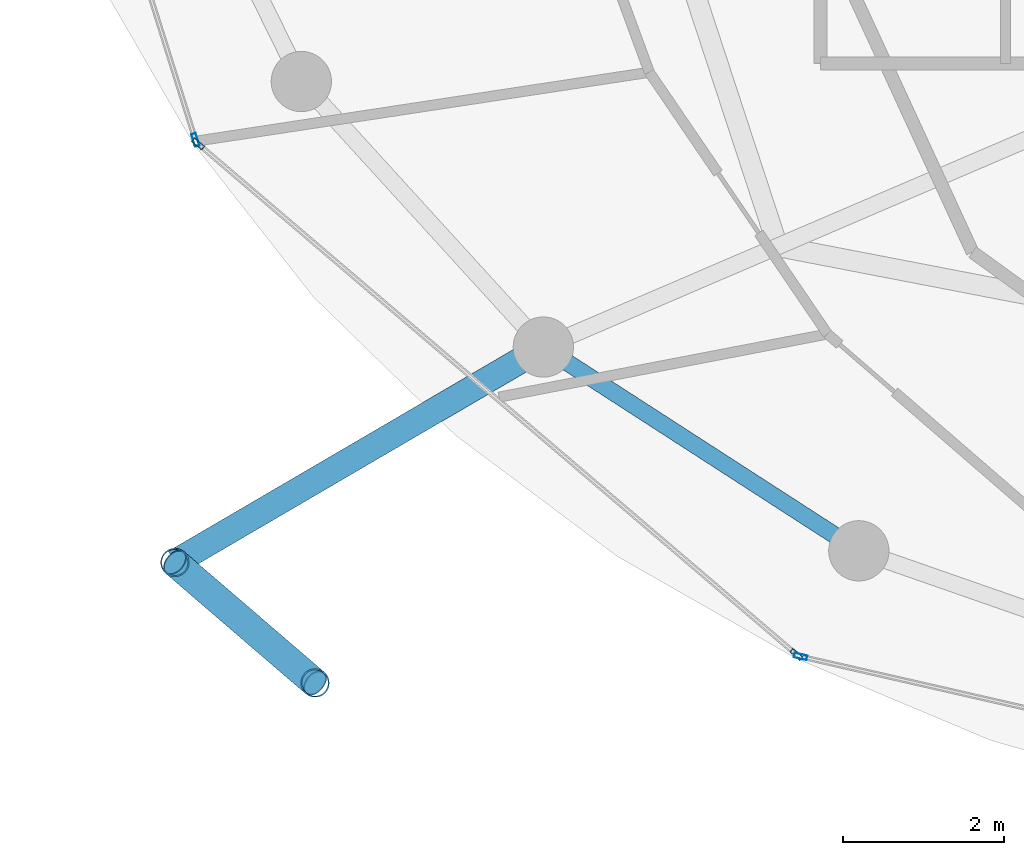
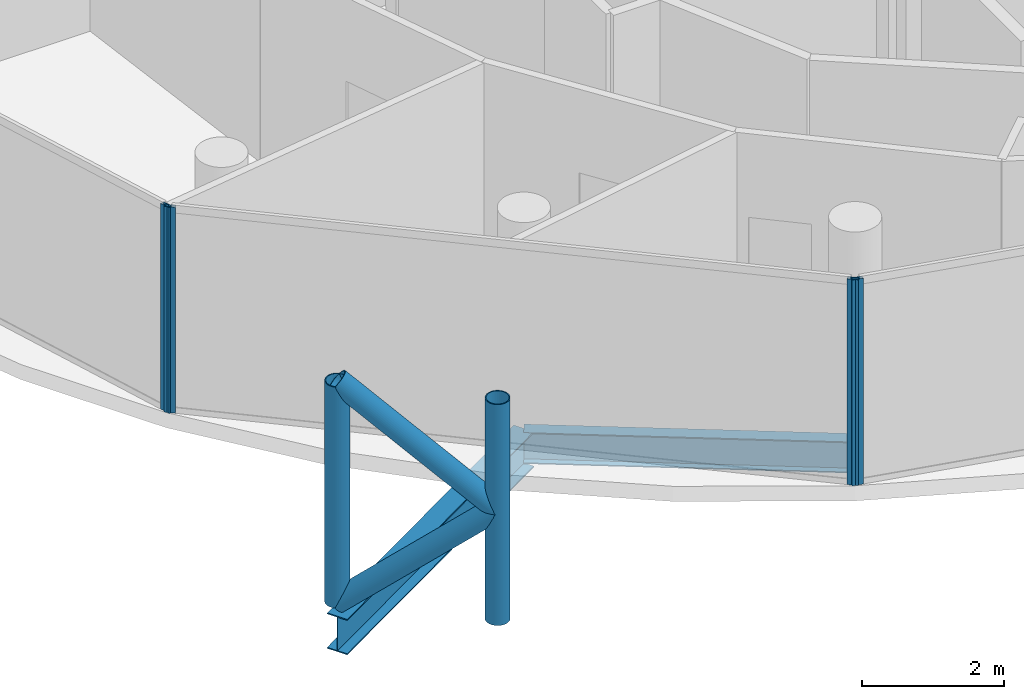
# One storey, part 2 of 24: 8 members, 2 beams, 3 elements without a shape of their own.
"""IFC4 building model written with IfcOpenShell, lengths in metres."""

from ifc_helpers import new_model, si_unit, direction, frame, origin, origin_2d, place, context, subcontext, project, spatial, hollow_rectangle, hollow_circle, i_section, extrude, material, layer, layer_set, material_profile, profile_set, type_object, element, aggregate, save


model = new_model("IFC4")

# Units and contexts
model_context = context("Model", 3, precision=1e-05, world=origin(), true_north=direction((0.0, 1.0)))
body_context = subcontext(model_context, "Body", "Model", "MODEL_VIEW")
ifc_project = project(units=[si_unit("LENGTHUNIT", "METRE"), si_unit("AREAUNIT", "SQUARE_METRE"), si_unit("VOLUMEUNIT", "CUBIC_METRE"), si_unit("PLANEANGLEUNIT", "RADIAN"), si_unit("MASSUNIT", "GRAM", prefix="KILO")], contexts=[model_context])

# Site, building, storey
site_placement = place(None, origin())
site = spatial("IfcSite", under=ifc_project, at=site_placement, CompositionType="ELEMENT")
building_placement = place(site_placement, origin())
building = spatial("IfcBuilding", under=site, at=building_placement, Name="Nuhasar Tower", CompositionType="ELEMENT")
storey_placement = place(building_placement, frame((0.0, 0.0, 293.60009765625)))
storey = spatial("IfcBuildingStorey", under=building, at=storey_placement, Name="L73", CompositionType="ELEMENT", Elevation=293.60009765625)

# Beams
ifc_material_1 = material(Name="Steel S355", Category="steel")
ifc_material_profile_1 = material_profile(ifc_material_1, i_section(OverallWidth=0.2099609375, OverallDepth=0.537109375, WebThickness=0.010986328125, FlangeThickness=0.017333984375, at=origin_2d()), Name="W21X68")
ifc_profile_set_1 = profile_set([ifc_material_profile_1], Name="Steel S355")
beam_type_1 = type_object("IfcBeamType", Name="BM-RING-W21X68", PredefinedType="SPANDREL", material=ifc_profile_set_1)
beam_1_placement = place(storey_placement, frame((25.60009765625, 15.52197265625, -0.529052734375), z_axis=(0.840025485934, -0.542546940809, 0.0), x_axis=(0.542546940809, 0.840025485934, 0.0)))
element("IfcBeam", 1, at=beam_1_placement, inside=storey, type_object=beam_type_1, Name="L73 Perimeter Ring Spandrel 16", PredefinedType="SPANDREL", context=body_context, shape_type="SweptSolid", body=[
    extrude(i_section(OverallWidth=0.2099609375, OverallDepth=0.537109375, WebThickness=0.010986328125, FlangeThickness=0.017333984375, at=origin_2d()), origin(), (0.0, 0.0, 1.0), 4.67236328125),
])
ifc_material_profile_2 = material_profile(ifc_material_1, i_section(OverallWidth=0.323974609375, OverallDepth=0.611083984375, WebThickness=0.0126953125, FlangeThickness=0.01904296875, at=origin_2d()), Name="W24X104")
ifc_profile_set_2 = profile_set([ifc_material_profile_2], Name="Steel S355")
beam_type_2 = type_object("IfcBeamType", Name="BM-TIE-W24X104", PredefinedType="BEAM", material=ifc_profile_set_2)
beam_2_placement = place(storey_placement, frame((25.60009765625, 15.52197265625, -0.566162109375), z_axis=(-0.863291554686, -0.504705549413, 0.0), x_axis=(0.504705549413, -0.863291554686, 0.0)))
element("IfcBeam", 2, at=beam_2_placement, inside=storey, type_object=beam_type_2, Name="L73 Exoskeleton Node Tie Beam 08", PredefinedType="BEAM", context=body_context, shape_type="SweptSolid", body=[
    extrude(i_section(OverallWidth=0.323974609375, OverallDepth=0.611083984375, WebThickness=0.0126953125, FlangeThickness=0.01904296875, at=origin_2d()), origin(), (0.0, 0.0, 1.0), 5.309814453125),
])

# Curtain wall, member
ifc_material_2 = material(Name="Aluminium 6063-T6", Category="aluminium")
ifc_layer = layer(ifc_material_2, 0.18994140625)
ifc_layer_set = layer_set([ifc_layer], Name="Aluminium 6063-T6")
curtain_wall_type = type_object("IfcCurtainWallType", Name="CW-Z4-PEN", PredefinedType="NOTDEFINED", material=ifc_layer_set)
curtain_wall_1_placement = place(storey_placement, origin())
curtain_wall_1 = element("IfcCurtainWall", 3, at=curtain_wall_1_placement, inside=storey, type_object=curtain_wall_type, Name="L73 Unitised Curtain Wall 07", PredefinedType="NOTDEFINED")
ifc_material_profile_3 = material_profile(ifc_material_2, hollow_rectangle(XDim=0.06005859375, YDim=0.1650390625, WallThickness=0.0048828125, at=origin_2d()), Name="CWM-5")
ifc_profile_set_3 = profile_set([ifc_material_profile_3], Name="Aluminium 6063-T6")
member_type_1 = type_object("IfcMemberType", Name="CW-MUL-S5", PredefinedType="MULLION", material=ifc_profile_set_3)
member_1_placement = place(storey_placement, frame((21.27197265625, 18.0986328125, 0.0), z_axis=(0.0, 0.0, 1.0), x_axis=(0.954078526601, 0.299556614146, 0.0)))
member_1 = element("IfcMember", 4, at=member_1_placement, type_object=member_type_1, Name="CW-Z4 mullion 2", PredefinedType="MULLION", context=body_context, shape_type="SweptSolid", body=[
    extrude(hollow_rectangle(XDim=0.06005859375, YDim=0.1650390625, WallThickness=0.0048828125, at=origin_2d()), origin(), (0.0, 0.0, 1.0), 3.539794921875),
])
aggregate(curtain_wall_1, [member_1])

# Curtain wall, members
curtain_wall_2_placement = place(storey_placement, origin())
curtain_wall_2 = element("IfcCurtainWall", 5, at=curtain_wall_2_placement, inside=storey, type_object=curtain_wall_type, Name="L73 Unitised Curtain Wall 08", PredefinedType="NOTDEFINED")
member_2_placement = place(storey_placement, frame((21.3037109375, 18.050537109375, 0.0), z_axis=(0.0, 0.0, 1.0), x_axis=(0.649141996205, 0.760667252327, 0.0)))
member_2 = element("IfcMember", 6, at=member_2_placement, type_object=member_type_1, Name="CW-Z4 mullion 1", PredefinedType="MULLION", context=body_context, shape_type="SweptSolid", body=[
    extrude(hollow_rectangle(XDim=0.06005859375, YDim=0.1650390625, WallThickness=0.0048828125, at=origin_2d()), origin(), (0.0, 0.0, 1.0), 3.539794921875),
])
member_3_placement = place(storey_placement, frame((28.7470703125, 11.698486328125, 0.0), z_axis=(0.0, 0.0, 1.0), x_axis=(0.649141996205, 0.760667252327, 0.0)))
member_3 = element("IfcMember", 7, at=member_3_placement, type_object=member_type_1, Name="CW-Z4 mullion 2", PredefinedType="MULLION", context=body_context, shape_type="SweptSolid", body=[
    extrude(hollow_rectangle(XDim=0.06005859375, YDim=0.1650390625, WallThickness=0.0048828125, at=origin_2d()), origin(), (0.0, 0.0, 1.0), 3.539794921875),
])
aggregate(curtain_wall_2, [member_2, member_3])

# Curtain wall, member
curtain_wall_3_placement = place(storey_placement, origin())
curtain_wall_3 = element("IfcCurtainWall", 8, at=curtain_wall_3_placement, inside=storey, type_object=curtain_wall_type, Name="L73 Unitised Curtain Wall 09", PredefinedType="NOTDEFINED")
member_4_placement = place(storey_placement, frame((28.79931640625, 11.67236328125, 0.0), z_axis=(0.0, 0.0, 1.0), x_axis=(0.222889487645, 0.97484371891, 0.0)))
member_4 = element("IfcMember", 9, at=member_4_placement, type_object=member_type_1, Name="CW-Z4 mullion 1", PredefinedType="MULLION", context=body_context, shape_type="SweptSolid", body=[
    extrude(hollow_rectangle(XDim=0.06005859375, YDim=0.1650390625, WallThickness=0.0048828125, at=origin_2d()), origin(), (0.0, 0.0, 1.0), 3.539794921875),
])
aggregate(curtain_wall_3, [member_4])

# Members
ifc_material_3 = material(Name="Steel S460", Category="steel")
ifc_material_profile_4 = material_profile(ifc_material_3, hollow_circle(Radius=0.177734375, WallThickness=0.015869140625, at=origin_2d()), Name="HSS355.6X15.9")
ifc_profile_set_4 = profile_set([ifc_material_profile_4], Name="Steel S460")
member_type_2 = type_object("IfcMemberType", Name="EXO-BRONZE-356", PredefinedType="BRACE", material=ifc_profile_set_4)
for number, where, z_axis, x_axis, name in (
    (10, (21.01611328125, 12.842041015625, 0.0), (0.0, 0.0, 1.0), (1.0, 0.0, 0.0), "L73 Exoskeleton Chord Column EC-08A"),
    (11, (22.760009765625, 11.343017578125, 0.0), (0.0, 0.0, 1.0), (1.0, 0.0, 0.0), "L73 Exoskeleton Chord Column EC-08B"),
):
    element("IfcMember", number, at=place(storey_placement, frame(where, z_axis=z_axis, x_axis=x_axis)), inside=storey, type_object=member_type_2, Name=name, PredefinedType="BRACE", context=body_context, shape_type="SweptSolid", body=[
        extrude(hollow_circle(Radius=0.177734375, WallThickness=0.015869140625, at=origin_2d()), origin(), (0.0, 0.0, 1.0), 3.7998046875),
    ])
for number, where, z_axis, x_axis, name in (
    (12, (21.01611328125, 12.842041015625, 0.0), (0.584625223306, -0.502533791278, 0.636924749792), (0.65185738425, 0.758341579104, 0.0), "L73 Bronze Diagrid Brace W1-08"),
    (13, (22.760009765625, 11.343017578125, 1.89990234375), (-0.584625223306, 0.502533791278, 0.636924749792), (-0.65185738425, -0.758341579104, 0.0), "L73 Bronze Diagrid Brace W2-08"),
):
    element("IfcMember", number, at=place(storey_placement, frame(where, z_axis=z_axis, x_axis=x_axis)), inside=storey, type_object=member_type_2, Name=name, PredefinedType="BRACE", context=body_context, shape_type="SweptSolid", body=[
        extrude(hollow_circle(Radius=0.177734375, WallThickness=0.015869140625, at=origin_2d()), origin(), (0.0, 0.0, 1.0), 2.98291015625),
    ])

save(model, "model.ifc")
